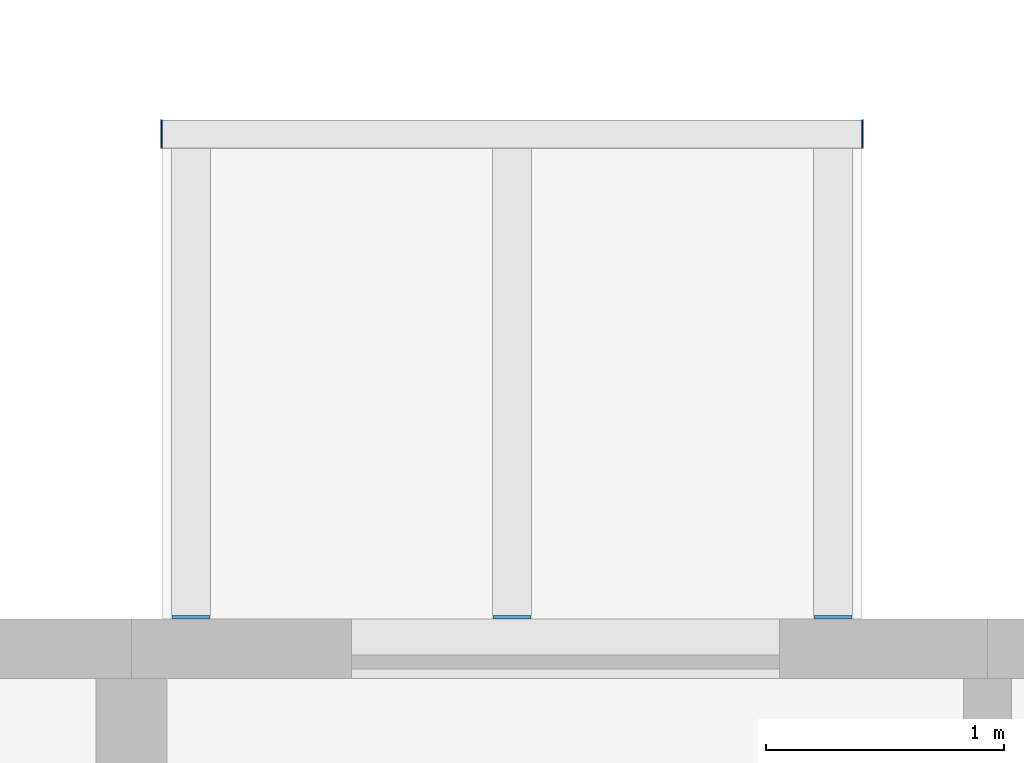
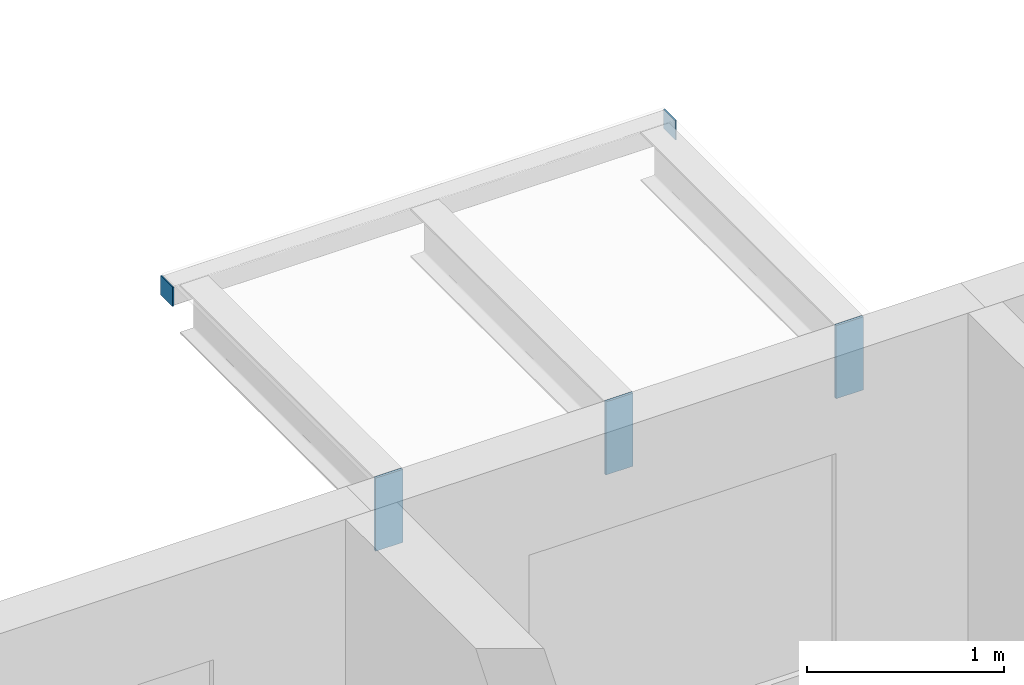
# One storey, part 70 of 94: 5 discrete accessories.
"""IFC4 building model written with IfcOpenShell, lengths in metres."""

from ifc_helpers import new_model, si_unit, direction, frame, origin, origin_2d, place, context, subcontext, project, spatial, rectangle, extrude, material, layer, layer_set, type_object, element, save


model = new_model("IFC4")

# Units and contexts
model_context = context("Model", 3, precision=1e-05, world=origin(), true_north=direction((0.0, 1.0)))
body_context = subcontext(model_context, "Body", "Model", "MODEL_VIEW")
ifc_project = project(units=[si_unit("LENGTHUNIT", "METRE"), si_unit("AREAUNIT", "SQUARE_METRE"), si_unit("VOLUMEUNIT", "CUBIC_METRE"), si_unit("PLANEANGLEUNIT", "RADIAN"), si_unit("MASSUNIT", "GRAM", prefix="KILO")], contexts=[model_context])

# Site, building, storey
site_placement = place(None, origin())
site = spatial("IfcSite", under=ifc_project, at=site_placement, CompositionType="ELEMENT")
building_placement = place(site_placement, origin())
building = spatial("IfcBuilding", under=site, at=building_placement, Name="Ridgestep Commons", CompositionType="ELEMENT")
storey_placement = place(building_placement, frame((0.0, 0.0, 24.0)))
storey = spatial("IfcBuildingStorey", under=building, at=storey_placement, Name="L08", CompositionType="ELEMENT", Elevation=24.0)

# Discrete accessories
ifc_material_1 = material(Name="Weathering steel S355J2W", Category="steel")
ifc_layer_1 = layer(ifc_material_1, 0.014892578125)
ifc_layer_set_1 = layer_set([ifc_layer_1], Name="Tray bracket plate 15")
discrete_accessory_type_1 = type_object("IfcDiscreteAccessoryType", Name="Tray bracket plate 15", PredefinedType="BRACKET", material=ifc_layer_set_1)
for number, where, z_axis, x_axis, name in (
    (1, (180.64990234375, 23.007568359375, 2.53662109375), (0.0, 0.0, 1.0), (1.0, 0.0, 0.0), "Tray bracket D3T1-09.1"),
    (2, (182.0, 23.007568359375, 2.53662109375), (0.0, 0.0, 1.0), (1.0, 0.0, 0.0), "Tray bracket D3T1-09.2"),
    (3, (183.35009765625, 23.007568359375, 2.53662109375), (0.0, 0.0, 1.0), (1.0, 0.0, 0.0), "Tray bracket D3T1-09.3"),
):
    element("IfcDiscreteAccessory", number, at=place(storey_placement, frame(where, z_axis=z_axis, x_axis=x_axis)), inside=storey, type_object=discrete_accessory_type_1, Name=name, PredefinedType="BRACKET", context=body_context, shape_type="SweptSolid", body=[
        extrude(rectangle(XDim=0.159912109375, YDim=0.014892578125, at=origin_2d()), origin(), (0.0, 0.0, 1.0), 0.453369140625),
    ])
ifc_material_2 = material(Name="Weathering steel S355J2W", Category="steel")
ifc_layer_2 = layer(ifc_material_2, 0.008056640625)
ifc_layer_set_2 = layer_set([ifc_layer_2], Name="Tray edge member end plate 120 x 120 x 8")
discrete_accessory_type_2 = type_object("IfcDiscreteAccessoryType", Name="Tray edge member end plate 120 x 120 x 8", PredefinedType="BRACKET", material=ifc_layer_set_2)
for number, where, z_axis, x_axis, name in (
    (4, (180.52587890625, 25.0400390625, 2.869873046875), (0.0, 0.0, 1.0), (1.0, 0.0, 0.0), "Tray edge member end plate D3T1-09 west"),
    (5, (183.47412109375, 25.0400390625, 2.869873046875), (0.0, 0.0, 1.0), (1.0, 0.0, 0.0), "Tray edge member end plate D3T1-09 east"),
):
    element("IfcDiscreteAccessory", number, at=place(storey_placement, frame(where, z_axis=z_axis, x_axis=x_axis)), inside=storey, type_object=discrete_accessory_type_2, Name=name, PredefinedType="BRACKET", context=body_context, shape_type="SweptSolid", body=[
        extrude(rectangle(XDim=0.008056640625, YDim=0.1201171875, at=origin_2d()), origin(), (0.0, 0.0, 1.0), 0.1201171875),
    ])

save(model, "model.ifc")
